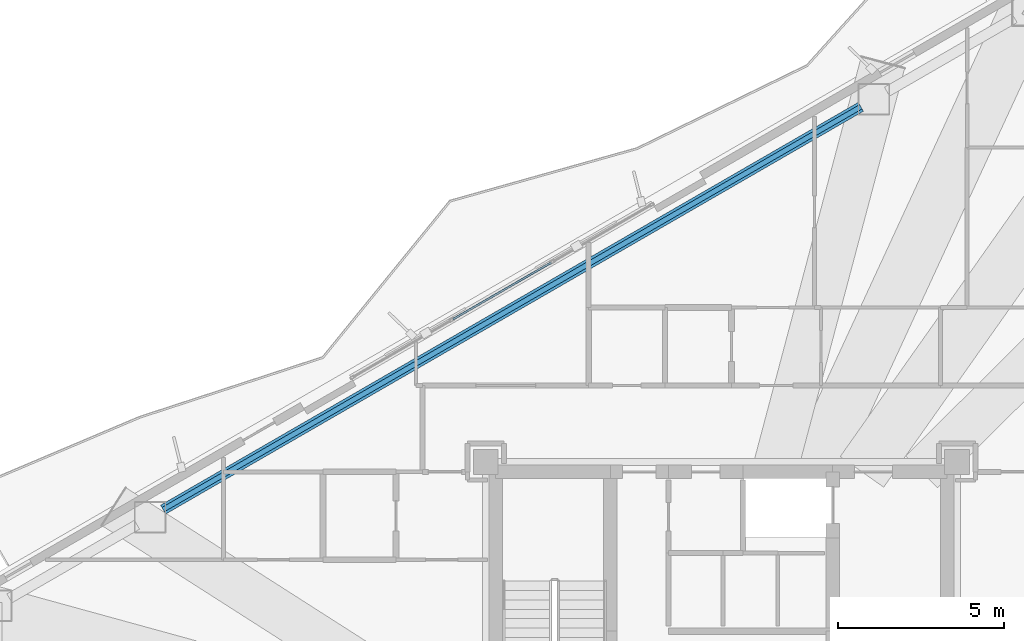
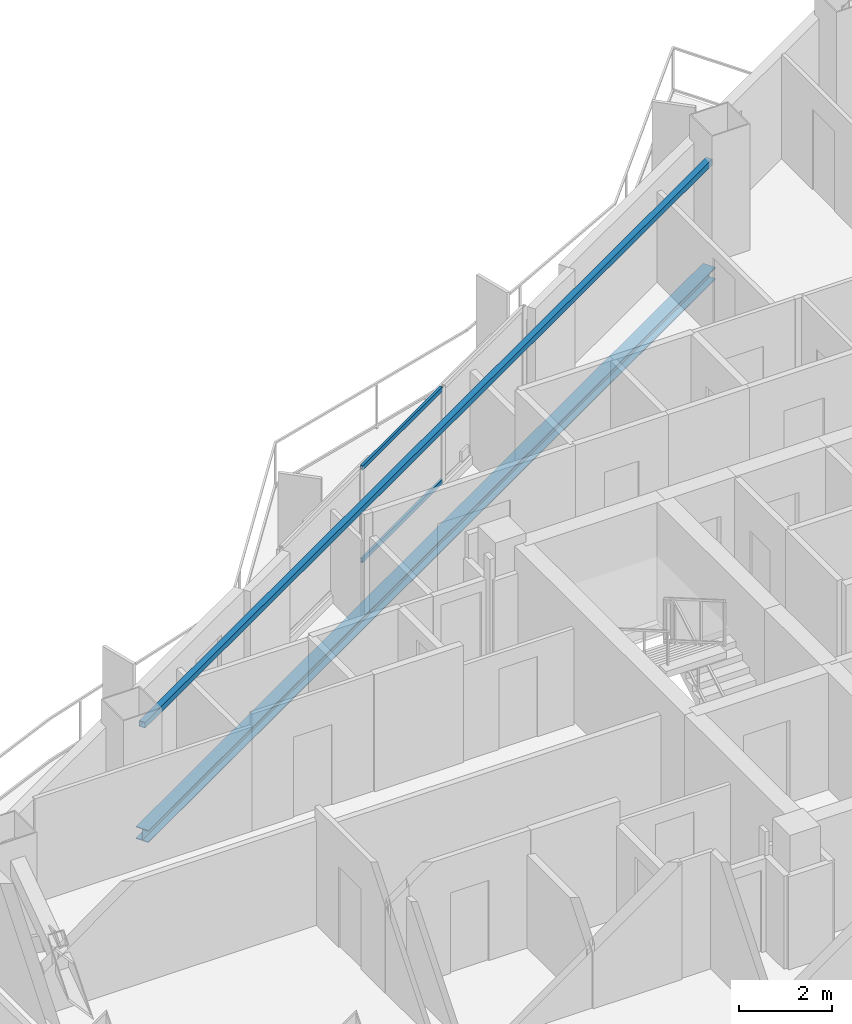
# One storey, part 11 of 21: 2 beams, 2 members, 1 element without a shape of its own.
"""IFC4 building model written with IfcOpenShell, lengths in metres."""

import ifcopenshell
import ifcopenshell.guid

model = None  # the IFC model being written
_history = None  # IfcOwnerHistory: only IFC2X3 demands one
_inside = {}  # id of a spatial element -> (the spatial element, [elements in it])
_under = {}  # id of a project, library or spatial element -> (it, [spatial elements below it])
_declared = {}  # id of a project -> (the project, [libraries it declares])
_typed = {}  # id of a type object -> (the type object, [elements of that type])
_made_of = {}  # id of a material, layer set ... -> (it, [elements and type objects made of it])


def new_model(schema):
    """Start an empty IFC model of exactly this schema.

    Asked for "IFC4X3", IfcOpenShell would pick the latest addendum, in which some entities
    have other attributes; the version numbers below select the first issue.
    IFC2X3 requires an IfcOwnerHistory on every rooted entity: one is made here for all.
    """
    global model, _history
    if schema == "IFC4X3":
        model = ifcopenshell.file(schema_version=(4, 3, 0, 0))
    else:
        model = ifcopenshell.file(schema=schema)
    _inside.clear()
    _under.clear()
    _declared.clear()
    _typed.clear()
    _made_of.clear()
    _history = None
    if model.schema == "IFC2X3":
        org = make("IfcOrganization", Name="unknown")
        user = make(
            "IfcPersonAndOrganization",
            ThePerson=make("IfcPerson", FamilyName="unknown"),
            TheOrganization=org,
        )
        app = make(
            "IfcApplication",
            ApplicationDeveloper=org,
            Version="unknown",
            ApplicationFullName="unknown",
            ApplicationIdentifier="unknown",
        )
        _history = make(
            "IfcOwnerHistory",
            OwningUser=user,
            OwningApplication=app,
            ChangeAction="ADDED",
            CreationDate=0,
        )
    return model


def make(cls, **values):
    """One entity of the class cls with the attributes given. An attribute that is None is left unset."""
    return model.create_entity(
        cls, **{name: value for name, value in values.items() if value is not None}
    )


def rooted(cls, **values):
    """An entity with a GlobalId (a new one), such as an element, a storey or a relation."""
    return make(cls, GlobalId=ifcopenshell.guid.new(), OwnerHistory=_history, **values)


def si_unit(unit_type, name, prefix=None):
    """IfcSIUnit, for example si_unit("LENGTHUNIT", "METRE", prefix="MILLI")."""
    return make("IfcSIUnit", UnitType=unit_type, Prefix=prefix, Name=name)


def assignment(units):
    """IfcUnitAssignment: the units of a project."""
    return None if units is None else make("IfcUnitAssignment", Units=units)


def point(xyz):
    """IfcCartesianPoint."""
    return None if xyz is None else make("IfcCartesianPoint", Coordinates=xyz)


def direction(xyz):
    """IfcDirection."""
    return None if xyz is None else make("IfcDirection", DirectionRatios=xyz)


def frame(location, z_axis=None, x_axis=None):
    """IfcAxis2Placement3D, a coordinate frame: its origin and axes. An axis left out is left unset."""
    return make(
        "IfcAxis2Placement3D",
        Location=point(location),
        Axis=direction(z_axis),
        RefDirection=direction(x_axis),
    )


def frame_2d(location, x_axis=None):
    """IfcAxis2Placement2D, a coordinate frame in the plane: its origin and x axis."""
    return make(
        "IfcAxis2Placement2D", Location=point(location), RefDirection=direction(x_axis)
    )


def origin():
    """The frame at (0, 0, 0) with its axes left unset."""
    return frame((0.0, 0.0, 0.0))


def origin_2d():
    """The frame at (0, 0) in the plane with its x axis left unset."""
    return frame_2d((0.0, 0.0))


def place(relative_to, where):
    """IfcLocalPlacement: puts the frame where relative to a parent placement (None: the world)."""
    return make(
        "IfcLocalPlacement", PlacementRelTo=relative_to, RelativePlacement=where
    )


def context(
    kind, dimensions, precision=None, world=None, true_north=None, identifier=None
):
    """IfcGeometricRepresentationContext, for example the 3D "Model" context."""
    return make(
        "IfcGeometricRepresentationContext",
        ContextIdentifier=identifier,
        ContextType=kind,
        CoordinateSpaceDimension=dimensions,
        Precision=precision,
        WorldCoordinateSystem=world,
        TrueNorth=true_north,
    )


def subcontext(parent, identifier, kind, view, scale=None):
    """IfcGeometricRepresentationSubContext, for example "Body" below "Model"."""
    return make(
        "IfcGeometricRepresentationSubContext",
        ContextIdentifier=identifier,
        ContextType=kind,
        ParentContext=parent,
        TargetScale=scale,
        TargetView=view,
    )


def project(units=None, contexts=None):
    """IfcProject with its units and contexts."""
    return rooted(
        "IfcProject",
        Name="project",
        RepresentationContexts=contexts,
        UnitsInContext=assignment(units),
    )


def spatial(cls, under=None, at=None, **own):
    """A site, building, storey or space (cls), placed at a placement, below another one or the project."""
    s = rooted(cls, ObjectPlacement=at, **own)
    if under is not None:
        _under.setdefault(under.id(), (under, []))[1].append(s)
    return s


def profile(cls, at=None, kind="AREA", **sizes):
    """A parametric profile (cls). Its sizes go by their IFC names, for example OverallWidth=200.0."""
    return make(cls, ProfileType=kind, Position=at, **sizes)


def hollow_rectangle(**sizes):
    """IfcRectangleHollowProfileDef."""
    return profile("IfcRectangleHollowProfileDef", **sizes)


def i_section(**sizes):
    """IfcIShapeProfileDef."""
    return profile("IfcIShapeProfileDef", **sizes)


def extrude(swept, where, along, depth):
    """IfcExtrudedAreaSolid: the profile swept, set in the frame where, extruded along a direction by depth."""
    return make(
        "IfcExtrudedAreaSolid",
        SweptArea=swept,
        Position=where,
        ExtrudedDirection=direction(along),
        Depth=depth,
    )


def shape(context_of_items, identifier, shape_type, items):
    """IfcShapeRepresentation: the items that make up one representation, for example the "Body"."""
    return make(
        "IfcShapeRepresentation",
        ContextOfItems=context_of_items,
        RepresentationIdentifier=identifier,
        RepresentationType=shape_type,
        Items=items,
    )


def material(Name=None, Category=None):
    """IfcMaterial."""
    return make("IfcMaterial", Name=Name, Category=Category)


def layer(
    of_material, thickness, ventilated=None, Name=None, Category=None, Priority=None
):
    """IfcMaterialLayer: one layer of a wall or slab, of a material (None: an air gap)."""
    return make(
        "IfcMaterialLayer",
        Material=of_material,
        LayerThickness=thickness,
        IsVentilated=ventilated,
        Name=Name,
        Category=Category,
        Priority=Priority,
    )


def layer_set(layers, Name=None):
    """IfcMaterialLayerSet."""
    return make("IfcMaterialLayerSet", MaterialLayers=layers, LayerSetName=Name)


def material_profile(
    of_material, cross_section, Name=None, Category=None, Priority=None
):
    """IfcMaterialProfile: a cross section and its material."""
    return make(
        "IfcMaterialProfile",
        Name=Name,
        Material=of_material,
        Profile=cross_section,
        Priority=Priority,
        Category=Category,
    )


def profile_set(profiles, Name=None, composite=None):
    """IfcMaterialProfileSet."""
    return make(
        "IfcMaterialProfileSet",
        Name=Name,
        MaterialProfiles=profiles,
        CompositeProfile=composite,
    )


def made_of(thing, what):
    """Note that an element or type object is made of a material, layer set ...; save() writes the relation."""
    if what is not None:
        _made_of.setdefault(what.id(), (what, []))[1].append(thing)
    return thing


def type_object(cls, material=None, **own):
    """A type object (cls), such as IfcWallType, which elements share."""
    return made_of(rooted(cls, **own), material)


def element(
    cls,
    number,
    at=None,
    inside=None,
    cuts=None,
    type_object=None,
    material=None,
    context=None,
    identifier="Body",
    shape_type=None,
    held_by="IfcProductDefinitionShape",
    body=None,
    shapes=None,
    **own,
):
    """One element of the class cls, such as IfcWall. Its Tag is "e" and its number.

    at: its placement. inside: the storey or other place that contains it. cuts: it is an
    opening in that element (IfcRelVoidsElement). A single representation is given by context,
    identifier, shape_type and body (its items); several are given by shapes. held_by: the class
    of the entity that holds the representations. save() writes the other relations.
    """
    e = rooted(cls, Tag="e%d" % number, ObjectPlacement=at, **own)
    if body is not None:
        shapes = [shape(context, identifier, shape_type, body)]
    if shapes is not None:
        e.Representation = make(held_by, Representations=shapes)
    if inside is not None:
        _inside.setdefault(inside.id(), (inside, []))[1].append(e)
    if cuts is not None:
        rooted(
            "IfcRelVoidsElement", RelatingBuildingElement=cuts, RelatedOpeningElement=e
        )
    if type_object is not None:
        _typed.setdefault(type_object.id(), (type_object, []))[1].append(e)
    return made_of(e, material)


def aggregate(whole, parts):
    """IfcRelAggregates: a whole, such as a stair, and the parts it consists of."""
    return rooted("IfcRelAggregates", RelatingObject=whole, RelatedObjects=parts)


def save(model, path):
    """Write the relations noted so far, then the file.

    IfcRelAggregates (storeys below a building ...), IfcRelContainedInSpatialStructure (elements
    in a storey), IfcRelDefinesByType, IfcRelAssociatesMaterial and IfcRelDeclares: one each for
    every whole, place, type object, material and project.
    """
    for whole, parts in _under.values():
        aggregate(whole, parts)
    for where, things in _inside.values():
        rooted(
            "IfcRelContainedInSpatialStructure",
            RelatedElements=things,
            RelatingStructure=where,
        )
    for kind, things in _typed.values():
        rooted("IfcRelDefinesByType", RelatedObjects=things, RelatingType=kind)
    for what, things in _made_of.values():
        rooted("IfcRelAssociatesMaterial", RelatedObjects=things, RelatingMaterial=what)
    for by, libraries in _declared.values():
        rooted("IfcRelDeclares", RelatingContext=by, RelatedDefinitions=libraries)
    model.write(path)


model = new_model("IFC4")

# Units and contexts
model_context = context("Model", 3, precision=1e-05, world=origin(), true_north=direction((0.0, 1.0)))
body_context = subcontext(model_context, "Body", "Model", "MODEL_VIEW")
ifc_project = project(units=[si_unit("LENGTHUNIT", "METRE"), si_unit("AREAUNIT", "SQUARE_METRE"), si_unit("VOLUMEUNIT", "CUBIC_METRE"), si_unit("PLANEANGLEUNIT", "RADIAN"), si_unit("MASSUNIT", "GRAM", prefix="KILO")], contexts=[model_context])

# Site, building, storey
site_placement = place(None, origin())
site = spatial("IfcSite", under=ifc_project, at=site_placement, CompositionType="ELEMENT")
building_placement = place(site_placement, origin())
building = spatial("IfcBuilding", under=site, at=building_placement, Name="Mersakhor Tower and Convention Hall", CompositionType="ELEMENT")
storey_placement = place(building_placement, frame((0.0, 0.0, 121.199951171875)))
storey = spatial("IfcBuildingStorey", under=building, at=storey_placement, Name="L33", CompositionType="ELEMENT", Elevation=121.199951171875)

# Beams
ifc_material_1 = material(Name="Steel S355", Category="steel")
ifc_material_profile_1 = material_profile(ifc_material_1, hollow_rectangle(XDim=0.14990234375, YDim=0.14990234375, WallThickness=0.010009765625, at=origin_2d()), Name="SHS 150x150x10")
ifc_profile_set_1 = profile_set([ifc_material_profile_1], Name="Steel S355")
beam_type_1 = type_object("IfcBeamType", Name="BM-GRT-SHS150", PredefinedType="USERDEFINED", material=ifc_profile_set_1)
beam_1_placement = place(storey_placement, frame((12.182373046875, 31.61181640625, 2.47998046875), z_axis=(0.866027433267, 0.499996484816, 0.0), x_axis=(-0.499996484816, 0.866027433267, 0.0)))
element("IfcBeam", 1, at=beam_1_placement, inside=storey, type_object=beam_type_1, Name="L33 Facade Support Girt GRT-F1", ObjectType="GIRT", PredefinedType="USERDEFINED", context=body_context, shape_type="SweptSolid", body=[
    extrude(hollow_rectangle(XDim=0.14990234375, YDim=0.14990234375, WallThickness=0.010009765625, at=origin_2d()), origin(), (0.0, 0.0, 1.0), 24.267333984375),
])
ifc_material_2 = material(Name="Steel S355", Category="steel")
ifc_material_profile_2 = material_profile(ifc_material_2, i_section(OverallWidth=0.30908203125, OverallDepth=0.320556640625, WebThickness=0.013916015625, FlangeThickness=0.021728515625, at=origin_2d()), Name="UC 305x305x137")
ifc_profile_set_2 = profile_set([ifc_material_profile_2], Name="Steel S355")
beam_type_2 = type_object("IfcBeamType", Name="BM-SPD-UC305", PredefinedType="SPANDREL", material=ifc_profile_set_2)
beam_2_placement = place(storey_placement, frame((12.182373046875, 31.61181640625, -0.400146484375), z_axis=(0.866027433267, 0.499996484816, 0.0), x_axis=(-0.499996484816, 0.866027433267, 0.0)))
element("IfcBeam", 2, at=beam_2_placement, inside=storey, type_object=beam_type_2, Name="L33 Perimeter Spandrel Beam SPB-02", PredefinedType="SPANDREL", context=body_context, shape_type="SweptSolid", body=[
    extrude(i_section(OverallWidth=0.30908203125, OverallDepth=0.320556640625, WebThickness=0.013916015625, FlangeThickness=0.021728515625, at=origin_2d()), origin(), (0.0, 0.0, 1.0), 24.267333984375),
])

# Curtain wall, members
ifc_material_3 = material(Name="Dark solar low-E aluminium curtain wall", Category="aluminium")
ifc_layer = layer(ifc_material_3, 0.169921875)
ifc_layer_set = layer_set([ifc_layer], Name="Dark solar low-E aluminium curtain wall")
curtain_wall_type = type_object("IfcCurtainWallType", Name="CW-SYS-02", PredefinedType="USERDEFINED", material=ifc_layer_set)
curtain_wall_placement = place(storey_placement, origin())
curtain_wall = element("IfcCurtainWall", 3, at=curtain_wall_placement, inside=storey, type_object=curtain_wall_type, Name="L33 Dark-Glass Curtain Wall F1-B2", ObjectType="CURTAIN WALL", PredefinedType="USERDEFINED")
ifc_material_4 = material(Name="Anodised aluminium EN AW-6063 T6", Category="aluminium")
ifc_material_profile_3 = material_profile(ifc_material_4, hollow_rectangle(XDim=0.06005859375, YDim=0.1201171875, WallThickness=0.0048828125, at=origin_2d()), Name="RHS 120x60x5")
ifc_profile_set_3 = profile_set([ifc_material_profile_3], Name="Anodised aluminium EN AW-6063 T6")
member_type = type_object("IfcMemberType", Name="CWT-120x60", PredefinedType="USERDEFINED", material=ifc_profile_set_3)
member_1_placement = place(storey_placement, frame((20.909423828125, 37.343017578125, 0.22998046875), z_axis=(0.866007273829, 0.50003140069, 0.0), x_axis=(-0.50003140069, 0.866007273829, 0.0)))
member_1 = element("IfcMember", 4, at=member_1_placement, type_object=member_type, Name="CW-02 transom 2.1", ObjectType="TRANSOM", PredefinedType="USERDEFINED", context=body_context, shape_type="SweptSolid", body=[
    extrude(hollow_rectangle(XDim=0.06005859375, YDim=0.1201171875, WallThickness=0.0048828125, at=origin_2d()), origin(), (0.0, 0.0, 1.0), 3.420166015625),
])
member_2_placement = place(storey_placement, frame((20.909423828125, 37.343017578125, 2.650146484375), z_axis=(0.866007273829, 0.50003140069, 0.0), x_axis=(-0.50003140069, 0.866007273829, 0.0)))
member_2 = element("IfcMember", 5, at=member_2_placement, type_object=member_type, Name="CW-02 transom 2.2", ObjectType="TRANSOM", PredefinedType="USERDEFINED", context=body_context, shape_type="SweptSolid", body=[
    extrude(hollow_rectangle(XDim=0.06005859375, YDim=0.1201171875, WallThickness=0.0048828125, at=origin_2d()), origin(), (0.0, 0.0, 1.0), 3.420166015625),
])
aggregate(curtain_wall, [member_1, member_2])

save(model, "model.ifc")
